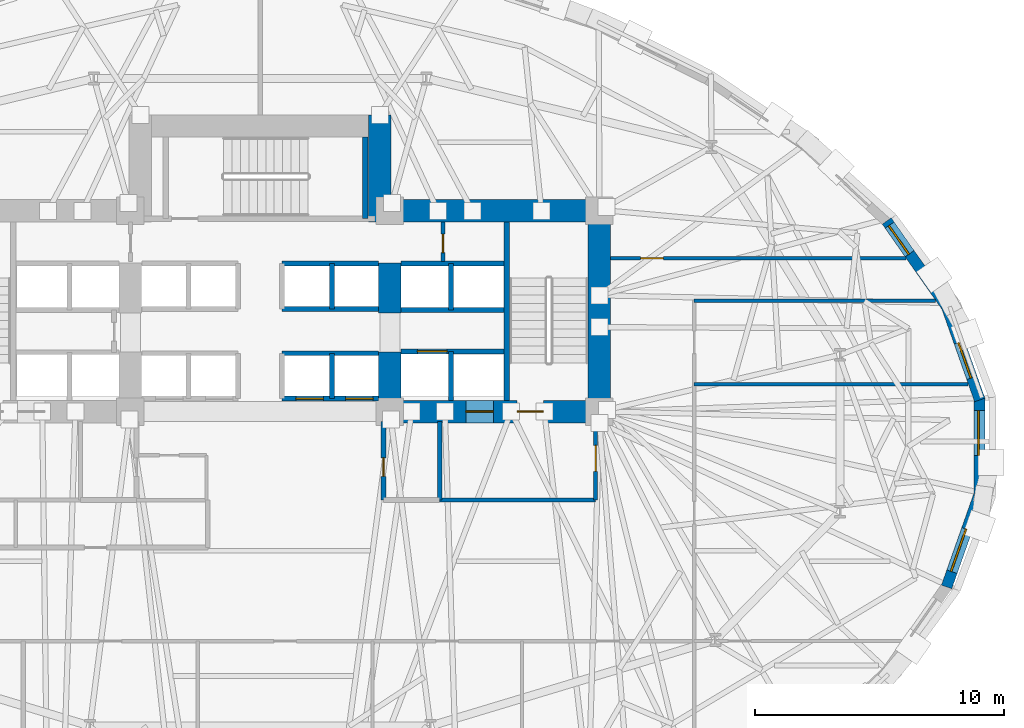
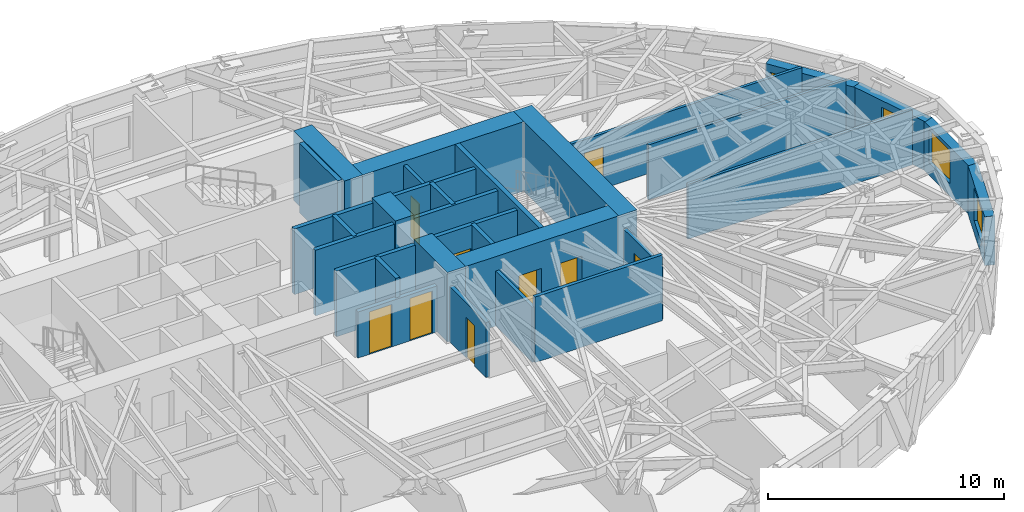
# One storey, part 9 of 14: 31 walls, 9 doors, 4 windows, 13 openings.
"""IFC4 building model written with IfcOpenShell, lengths in metres."""

from ifc_helpers import new_model, si_unit, direction, frame, frame_2d, origin, place, context, subcontext, project, spatial, rectangle, extrude, material, layer, layer_set, type_object, element, fill, save


model = new_model("IFC4")

# Units and contexts
model_context = context("Model", 3, precision=1e-05, world=origin(), true_north=direction((0.0, 1.0)))
body_context = subcontext(model_context, "Body", "Model", "MODEL_VIEW")
ifc_project = project(units=[si_unit("LENGTHUNIT", "METRE"), si_unit("AREAUNIT", "SQUARE_METRE"), si_unit("VOLUMEUNIT", "CUBIC_METRE"), si_unit("PLANEANGLEUNIT", "RADIAN"), si_unit("MASSUNIT", "GRAM", prefix="KILO")], contexts=[model_context])

# Site, building, storey
site_placement = place(None, origin())
site = spatial("IfcSite", under=ifc_project, at=site_placement, CompositionType="ELEMENT")
building_placement = place(site_placement, origin())
building = spatial("IfcBuilding", under=site, at=building_placement, Name="Keldmark Tower", CompositionType="ELEMENT")
storey_placement = place(building_placement, frame((0.0, 0.0, 59.39990234375)))
storey = spatial("IfcBuildingStorey", under=building, at=storey_placement, Name="L15", CompositionType="ELEMENT", Elevation=59.39990234375)

# Wall, opening, door
ifc_material_1 = material(Name="Acoustic Double-Layer Gypsum Corridor Partition", Category="gypsum")
ifc_layer_1 = layer(ifc_material_1, 0.139892578125)
ifc_layer_set_1 = layer_set([ifc_layer_1], Name="Acoustic Double-Layer Gypsum Corridor Partition")
wall_type_1 = type_object("IfcWallType", Name="Acoustic Corridor Partition 140 mm", PredefinedType="PARTITIONING", material=ifc_layer_set_1)
wall_1_placement = place(storey_placement, frame((14.050048828125, 7.550048828125, 0.0), z_axis=(0.0, 0.0, 1.0), x_axis=(1.0, 0.0, 0.0)))
wall_1 = element("IfcWall", 1, at=wall_1_placement, inside=storey, type_object=wall_type_1, Name="L15 Acoustic Corridor Partition 140 mm COR-EN-CAP", PredefinedType="PARTITIONING", context=body_context, shape_type="SweptSolid", body=[
    extrude(rectangle(XDim=11.83935546875, YDim=0.139892578125, at=frame_2d((5.919677734375, 0.0))), origin(), (0.0, 0.0, 1.0), 2.85302734375),
])
opening_1_placement = place(wall_1_placement, frame((1.199951171875, 0.0, 0.0)))
opening_1 = element("IfcOpeningElement", 2, at=opening_1_placement, cuts=wall_1, Name="Opening D-EX092", PredefinedType="OPENING", context=body_context, shape_type="SweptSolid", body=[
    extrude(rectangle(XDim=0.919921875, YDim=2.14990234375, at=frame_2d((0.4599609375, 1.074951171875))), frame((0.0, 0.079833984375, 0.0), z_axis=(0.0, -1.0, 0.0), x_axis=(1.0, 0.0, 0.0)), (0.0, 0.0, 1.0), 0.159912109375),
])
ifc_material_2 = material(Name="Flush American Ash Executive Office Door", Category="wood")
door_type_1 = type_object("IfcDoorType", Name="Executive Office Door 920x2150", OperationType="NOTDEFINED", PredefinedType="DOOR", material=ifc_material_2)
door_1_placement = place(opening_1_placement, origin())
door_1 = element("IfcDoor", 3, at=door_1_placement, inside=storey, type_object=door_type_1, Name="L15 Executive Office Door 920x2150 D-NRNE-L15", OperationType="SINGLE_SWING_RIGHT", OverallHeight=2.14990234375, OverallWidth=0.919921875, PredefinedType="DOOR", context=body_context, shape_type="SweptSolid", body=[
    extrude(rectangle(XDim=0.919921875, YDim=2.14990234375, at=frame_2d((0.4599609375, 1.074951171875))), frame((0.0, 0.02490234375, 0.0), z_axis=(0.0, -1.0, 0.0), x_axis=(1.0, 0.0, 0.0)), (0.0, 0.0, 1.0), 0.050048828125),
])
fill(opening_1, door_1)

# Walls
wall_2_placement = place(storey_placement, frame((17.39990234375, 5.85009765625, 0.0), z_axis=(0.0, 0.0, 1.0), x_axis=(1.0, 0.0, 0.0)))
element("IfcWall", 4, at=wall_2_placement, inside=storey, type_object=wall_type_1, Name="L15 Acoustic Corridor Partition 140 mm COR-EA-S", PredefinedType="PARTITIONING", context=body_context, shape_type="SweptSolid", body=[
    extrude(rectangle(XDim=9.67822265625, YDim=0.139892578125, at=frame_2d((4.839111328125, 0.0))), origin(), (0.0, 0.0, 1.0), 2.85302734375),
])
ifc_material_3 = material(Name="Acoustic Gypsum Board Interior Partition", Category="gypsum")
ifc_layer_2 = layer(ifc_material_3, 0.1298828125)
ifc_layer_set_2 = layer_set([ifc_layer_2], Name="Acoustic Gypsum Board Interior Partition")
wall_type_2 = type_object("IfcWallType", Name="Interior Partition 130 mm", PredefinedType="PARTITIONING", material=ifc_layer_set_2)
wall_3_placement = place(storey_placement, frame((17.39990234375, 2.5, 0.0), z_axis=(0.0, 0.0, 1.0), x_axis=(1.0, 0.0, 0.0)))
element("IfcWall", 5, at=wall_3_placement, inside=storey, type_object=wall_type_2, Name="L15 Interior Partition 130 mm E-DIV-1", PredefinedType="PARTITIONING", context=body_context, shape_type="SweptSolid", body=[
    extrude(rectangle(XDim=10.985107421875, YDim=0.1298828125, at=frame_2d((5.49267578125, 0.0))), origin(), (0.0, 0.0, 1.0), 2.841064453125),
])
ifc_material_4 = material(Name="Concrete C70/85", Category="concrete")
ifc_layer_3 = layer(ifc_material_4, 0.89990234375)
ifc_layer_set_3 = layer_set([ifc_layer_3], Name="Concrete C70/85")
wall_type_3 = type_object("IfcWallType", Name="Lower Core Shear Wall 900 mm", PredefinedType="SHEAR", material=ifc_layer_set_3)
wall_4_placement = place(storey_placement, frame((13.60009765625, 0.949951171875, 0.0), z_axis=(0.0, 0.0, 1.0), x_axis=(0.0, 1.0, 0.0)))
element("IfcWall", 6, at=wall_4_placement, inside=storey, type_object=wall_type_3, Name="L15 East Core Outer Shear Wall", PredefinedType="SHEAR", context=body_context, shape_type="SweptSolid", body=[
    extrude(rectangle(XDim=8.949951171875, YDim=0.89990234375, at=frame_2d((4.47509765625, 0.0))), origin(), (0.0, 0.0, 1.0), 3.60009765625),
])
wall_5_placement = place(storey_placement, frame((4.35009765625, 9.449951171875, 0.0), z_axis=(0.0, 0.0, 1.0), x_axis=(1.0, 0.0, 0.0)))
element("IfcWall", 7, at=wall_5_placement, inside=storey, type_object=wall_type_3, Name="L15 East Core North Shear Wall", PredefinedType="SHEAR", context=body_context, shape_type="SweptSolid", body=[
    extrude(rectangle(XDim=9.699951171875, YDim=0.89990234375, at=frame_2d((4.85009765625, 0.0))), origin(), (0.0, 0.0, 1.0), 3.60009765625),
])

# Wall, openings, doors
wall_6_placement = place(storey_placement, frame((14.050048828125, 1.39990234375, 0.0), z_axis=(0.0, 0.0, 1.0), x_axis=(-1.0, 0.0, 0.0)))
wall_6 = element("IfcWall", 8, at=wall_6_placement, inside=storey, type_object=wall_type_3, Name="L15 East Core South Shear Wall", PredefinedType="SHEAR", context=body_context, shape_type="SweptSolid", body=[
    extrude(rectangle(XDim=9.300048828125, YDim=0.89990234375, at=frame_2d((4.64990234375, 0.0))), origin(), (0.0, 0.0, 1.0), 3.60009765625),
])
opening_2_placement = place(wall_6_placement, frame((2.699951171875, 0.0, 0.0)))
opening_2 = element("IfcOpeningElement", 9, at=opening_2_placement, cuts=wall_6, Name="Opening D-ST105", PredefinedType="OPENING", context=body_context, shape_type="SweptSolid", body=[
    extrude(rectangle(XDim=1.050048828125, YDim=2.14990234375, at=frame_2d((0.52490234375, 1.074951171875))), frame((0.0, 0.4599609375, 0.0), z_axis=(0.0, -1.0, 0.0), x_axis=(1.0, 0.0, 0.0)), (0.0, 0.0, 1.0), 0.919921875),
])
opening_3_placement = place(wall_6_placement, frame((4.699951171875, 0.0, 0.0)))
opening_3 = element("IfcOpeningElement", 10, at=opening_3_placement, cuts=wall_6, Name="Opening LD-110", PredefinedType="OPENING", context=body_context, shape_type="SweptSolid", body=[
    extrude(rectangle(XDim=1.10009765625, YDim=2.199951171875, at=frame_2d((0.550048828125, 1.10009765625))), frame((0.0, 0.4599609375, 0.0), z_axis=(0.0, -1.0, 0.0), x_axis=(1.0, 0.0, 0.0)), (0.0, 0.0, 1.0), 0.919921875),
])
ifc_material_5 = material(Name="Brushed Bronze Hoistway Sliding Leaf", Category="metal")
door_type_2 = type_object("IfcDoorType", Name="Lift Landing Sliding Door 1100x2200", OperationType="SLIDING_TO_LEFT", PredefinedType="DOOR", material=ifc_material_5)
door_2_placement = place(opening_3_placement, origin())
door_2 = element("IfcDoor", 11, at=door_2_placement, inside=storey, type_object=door_type_2, Name="L15 Lift Landing Sliding Door 1100x2200 LD-EL-FS2-L15", OperationType="SLIDING_TO_LEFT", OverallHeight=2.199951171875, OverallWidth=1.10009765625, PredefinedType="DOOR", context=body_context, shape_type="SweptSolid", body=[
    extrude(rectangle(XDim=1.10009765625, YDim=2.199951171875, at=frame_2d((0.550048828125, 1.10009765625))), frame((0.0, 0.02490234375, 0.0), z_axis=(0.0, -1.0, 0.0), x_axis=(1.0, 0.0, 0.0)), (0.0, 0.0, 1.0), 0.050048828125),
])
fill(opening_3, door_2)
ifc_material_6 = material(Name="Hollow Metal Fire-Rated Door Assembly", Category="metal")
door_type_3 = type_object("IfcDoorType", Name="Stair Fire Door 1050x2150", OperationType="NOTDEFINED", PredefinedType="DOOR", material=ifc_material_6)
door_3_placement = place(opening_2_placement, origin())
door_3 = element("IfcDoor", 12, at=door_3_placement, inside=storey, type_object=door_type_3, Name="L15 Stair Fire Door 1050x2150 D-ST2-L15", OperationType="SINGLE_SWING_LEFT", OverallHeight=2.14990234375, OverallWidth=1.050048828125, PredefinedType="DOOR", context=body_context, shape_type="SweptSolid", body=[
    extrude(rectangle(XDim=1.050048828125, YDim=2.14990234375, at=frame_2d((0.52490234375, 1.074951171875))), frame((0.0, 0.02490234375, 0.0), z_axis=(0.0, -1.0, 0.0), x_axis=(1.0, 0.0, 0.0)), (0.0, 0.0, 1.0), 0.050048828125),
])
fill(opening_2, door_3)

# Walls
wall_7_placement = place(storey_placement, frame((5.199951171875, 0.949951171875, 0.0), z_axis=(0.0, 0.0, 1.0), x_axis=(0.0, 1.0, 0.0)))
element("IfcWall", 13, at=wall_7_placement, inside=storey, type_object=wall_type_3, Name="L15 East Core Inner Shear Pier South", PredefinedType="SHEAR", context=body_context, shape_type="SweptSolid", body=[
    extrude(rectangle(XDim=2.85009765625, YDim=0.89990234375, at=frame_2d((1.425048828125, 0.0))), origin(), (0.0, 0.0, 1.0), 3.60009765625),
])
wall_8_placement = place(storey_placement, frame((5.199951171875, 5.35009765625, 0.0), z_axis=(0.0, 0.0, 1.0), x_axis=(0.0, 1.0, 0.0)))
element("IfcWall", 14, at=wall_8_placement, inside=storey, type_object=wall_type_3, Name="L15 East Core Inner Shear Pier North", PredefinedType="SHEAR", context=body_context, shape_type="SweptSolid", body=[
    extrude(rectangle(XDim=2.0, YDim=0.89990234375, at=frame_2d((1.0, 0.0))), origin(), (0.0, 0.0, 1.0), 3.60009765625),
])
wall_9_placement = place(storey_placement, frame((4.800048828125, 9.0, 0.0), z_axis=(0.0, 0.0, 1.0), x_axis=(0.0, 1.0, 0.0)))
element("IfcWall", 15, at=wall_9_placement, inside=storey, type_object=wall_type_3, Name="L15 North Core East Shear Wall", PredefinedType="SHEAR", context=body_context, shape_type="SweptSolid", body=[
    extrude(rectangle(XDim=4.300048828125, YDim=0.89990234375, at=frame_2d((2.14990234375, 0.0))), origin(), (0.0, 0.0, 1.0), 3.60009765625),
])
ifc_material_7 = material(Name="Type X Fire-Rated Gypsum Partition Assembly", Category="gypsum")
ifc_layer_4 = layer(ifc_material_7, 0.1650390625)
ifc_layer_set_4 = layer_set([ifc_layer_4], Name="Type X Fire-Rated Gypsum Partition Assembly")
wall_type_4 = type_object("IfcWallType", Name="Rated Partition 165 mm", PredefinedType="PARTITIONING", material=ifc_layer_set_4)
wall_10_placement = place(storey_placement, frame((7.199951171875, -2.14990234375, 0.0), z_axis=(0.0, 0.0, 1.0), x_axis=(1.0, 0.0, 0.0)))
element("IfcWall", 16, at=wall_10_placement, inside=storey, type_object=wall_type_4, Name="L15 Rated Partition 165 mm FSAE-E-S", PredefinedType="PARTITIONING", context=body_context, shape_type="SweptSolid", body=[
    extrude(rectangle(XDim=6.25, YDim=0.1650390625, at=frame_2d((3.125, 0.0))), origin(), (0.0, 0.0, 1.0), 3.400146484375),
])
wall_11_placement = place(storey_placement, frame((7.199951171875, -2.14990234375, 0.0), z_axis=(0.0, 0.0, 1.0), x_axis=(0.0, 1.0, 0.0)))
element("IfcWall", 17, at=wall_11_placement, inside=storey, type_object=wall_type_4, Name="L15 Rated Partition 165 mm FSAE-E-W", PredefinedType="PARTITIONING", context=body_context, shape_type="SweptSolid", body=[
    extrude(rectangle(XDim=3.14990234375, YDim=0.1650390625, at=frame_2d((1.574951171875, 0.0))), origin(), (0.0, 0.0, 1.0), 2.85302734375),
])

# Wall, opening, door
wall_12_placement = place(storey_placement, frame((13.449951171875, -2.14990234375, 0.0), z_axis=(0.0, 0.0, 1.0), x_axis=(0.0, 1.0, 0.0)))
wall_12 = element("IfcWall", 18, at=wall_12_placement, inside=storey, type_object=wall_type_4, Name="L15 Rated Partition 165 mm FSAE-E-E", PredefinedType="PARTITIONING", context=body_context, shape_type="SweptSolid", body=[
    extrude(rectangle(XDim=3.14990234375, YDim=0.1650390625, at=frame_2d((1.574951171875, 0.0))), origin(), (0.0, 0.0, 1.0), 2.85302734375),
])
opening_4_placement = place(wall_12_placement, frame((1.14990234375, 0.0, 0.0)))
opening_4 = element("IfcOpeningElement", 19, at=opening_4_placement, cuts=wall_12, Name="Opening D-FL105", PredefinedType="OPENING", context=body_context, shape_type="SweptSolid", body=[
    extrude(rectangle(XDim=1.050048828125, YDim=2.14990234375, at=frame_2d((0.52490234375, 1.074951171875))), frame((0.0, 0.092529296875, 0.0), z_axis=(0.0, -1.0, 0.0), x_axis=(1.0, 0.0, 0.0)), (0.0, 0.0, 1.0), 0.18505859375),
])
ifc_material_8 = material(Name="Fire-Rated Mineral-Core Door and Vision Lite", Category="metal")
door_type_4 = type_object("IfcDoorType", Name="Fire Lobby Door 1050x2150", OperationType="NOTDEFINED", PredefinedType="DOOR", material=ifc_material_8)
door_4_placement = place(opening_4_placement, origin())
door_4 = element("IfcDoor", 20, at=door_4_placement, inside=storey, type_object=door_type_4, Name="L15 Fire Lobby Door 1050x2150 D-FSAEE-OUT-L15", OperationType="SINGLE_SWING_LEFT", OverallHeight=2.14990234375, OverallWidth=1.050048828125, PredefinedType="DOOR", context=body_context, shape_type="SweptSolid", body=[
    extrude(rectangle(XDim=1.050048828125, YDim=2.14990234375, at=frame_2d((0.52490234375, 1.074951171875))), frame((0.0, 0.02490234375, 0.0), z_axis=(0.0, -1.0, 0.0), x_axis=(1.0, 0.0, 0.0)), (0.0, 0.0, 1.0), 0.050048828125),
])
fill(opening_4, door_4)

wall_13_placement = place(storey_placement, frame((7.330078125, 7.419921875, 0.0), z_axis=(0.0, 0.0, 1.0), x_axis=(0.0, 1.0, 0.0)))
wall_13 = element("IfcWall", 21, at=wall_13_placement, inside=storey, type_object=wall_type_4, Name="L15 Rated Partition 165 mm CS-NE-W", PredefinedType="PARTITIONING", context=body_context, shape_type="SweptSolid", body=[
    extrude(rectangle(XDim=1.580078125, YDim=0.1650390625, at=frame_2d((0.7900390625, 0.0))), origin(), (0.0, 0.0, 1.0), 3.400146484375),
])
opening_5_placement = place(wall_13_placement, frame((0.35009765625, 0.0, 0.0)))
opening_5 = element("IfcOpeningElement", 22, at=opening_5_placement, cuts=wall_13, Name="Opening D-RS075", PredefinedType="OPENING", context=body_context, shape_type="SweptSolid", body=[
    extrude(rectangle(XDim=0.75, YDim=2.10009765625, at=frame_2d((0.375, 1.050048828125))), frame((0.0, 0.092529296875, 0.0), z_axis=(0.0, -1.0, 0.0), x_axis=(1.0, 0.0, 0.0)), (0.0, 0.0, 1.0), 0.18505859375),
])
ifc_material_9 = material(Name="Galvanized Fire-Rated Access Leaf", Category="metal")
door_type_5 = type_object("IfcDoorType", Name="Riser Access Door 750x2100", OperationType="NOTDEFINED", PredefinedType="DOOR", material=ifc_material_9)
door_5_placement = place(opening_5_placement, origin())
door_5 = element("IfcDoor", 23, at=door_5_placement, inside=storey, type_object=door_type_5, Name="L15 Riser Access Door 750x2100 D-CSNE1-L15", OperationType="SINGLE_SWING_LEFT", OverallHeight=2.10009765625, OverallWidth=0.75, PredefinedType="DOOR", context=body_context, shape_type="SweptSolid", body=[
    extrude(rectangle(XDim=0.75, YDim=2.10009765625, at=frame_2d((0.375, 1.050048828125))), frame((0.0, 0.02490234375, 0.0), z_axis=(0.0, -1.0, 0.0), x_axis=(1.0, 0.0, 0.0)), (0.0, 0.0, 1.0), 0.050048828125),
])
fill(opening_5, door_5)

ifc_material_10 = material(Name="Fire-Resistant Type X Gypsum Shaftliner Coreboard", Category="gypsum")
ifc_layer_5 = layer(ifc_material_10, 0.199951171875)
ifc_layer_set_5 = layer_set([ifc_layer_5], Name="Fire-Resistant Type X Gypsum Shaftliner Coreboard")
wall_type_5 = type_object("IfcWallType", Name="Shaft Wall 200 mm", PredefinedType="SOLIDWALL", material=ifc_layer_set_5)
wall_14_placement = place(storey_placement, frame((4.949951171875, -2.14990234375, 0.0), z_axis=(0.0, 0.0, 1.0), x_axis=(0.0, 1.0, 0.0)))
wall_14 = element("IfcWall", 24, at=wall_14_placement, inside=storey, type_object=wall_type_5, Name="L15 Shaft Wall 200 mm RIS-SE-W", PredefinedType="SOLIDWALL", context=body_context, shape_type="SweptSolid", body=[
    extrude(rectangle(XDim=3.14990234375, YDim=0.199951171875, at=frame_2d((1.574951171875, 0.0))), origin(), (0.0, 0.0, 1.0), 2.85302734375),
])
opening_6_placement = place(wall_14_placement, frame((0.949951171875, 0.0, 0.0)))
opening_6 = element("IfcOpeningElement", 25, at=opening_6_placement, cuts=wall_14, Name="Opening D-RS075", PredefinedType="OPENING", context=body_context, shape_type="SweptSolid", body=[
    extrude(rectangle(XDim=0.75, YDim=2.10009765625, at=frame_2d((0.375, 1.050048828125))), frame((0.0, 0.10986328125, 0.0), z_axis=(0.0, -1.0, 0.0), x_axis=(1.0, 0.0, 0.0)), (0.0, 0.0, 1.0), 0.219970703125),
])
door_6_placement = place(opening_6_placement, origin())
door_6 = element("IfcDoor", 26, at=door_6_placement, inside=storey, type_object=door_type_5, Name="L15 Riser Access Door 750x2100 D-RISSE-L15", OperationType="SINGLE_SWING_LEFT", OverallHeight=2.10009765625, OverallWidth=0.75, PredefinedType="DOOR", context=body_context, shape_type="SweptSolid", body=[
    extrude(rectangle(XDim=0.75, YDim=2.10009765625, at=frame_2d((0.375, 1.050048828125))), frame((0.0, 0.02490234375, 0.0), z_axis=(0.0, -1.0, 0.0), x_axis=(1.0, 0.0, 0.0)), (0.0, 0.0, 1.0), 0.050048828125),
])
fill(opening_6, door_6)

wall_15_placement = place(storey_placement, frame((5.64990234375, 3.820068359375, 0.0), z_axis=(0.0, 0.0, 1.0), x_axis=(1.0, 0.0, 0.0)))
wall_15 = element("IfcWall", 27, at=wall_15_placement, inside=storey, type_object=wall_type_5, Name="L15 Shaft Wall 200 mm HW-E-S", PredefinedType="SOLIDWALL", context=body_context, shape_type="SweptSolid", body=[
    extrude(rectangle(XDim=4.130126953125, YDim=0.199951171875, at=frame_2d((2.06494140625, 0.0))), origin(), (0.0, 0.0, 1.0), 3.400146484375),
])
opening_7_placement = place(wall_15_placement, frame((0.64990234375, 0.0, 0.0)))
opening_7 = element("IfcOpeningElement", 28, at=opening_7_placement, cuts=wall_15, Name="Opening LD-120", PredefinedType="OPENING", context=body_context, shape_type="SweptSolid", body=[
    extrude(rectangle(XDim=1.199951171875, YDim=2.199951171875, at=frame_2d((0.60009765625, 1.10009765625))), frame((0.0, 0.10986328125, 0.0), z_axis=(0.0, -1.0, 0.0), x_axis=(1.0, 0.0, 0.0)), (0.0, 0.0, 1.0), 0.219970703125),
])
ifc_material_11 = material(Name="Heavy-Duty Brushed Metal Hoistway Sliding Leaf", Category="metal")
door_type_6 = type_object("IfcDoorType", Name="Service Lift Sliding Door 1200x2200", OperationType="SLIDING_TO_RIGHT", PredefinedType="DOOR", material=ifc_material_11)
door_7_placement = place(opening_7_placement, origin())
door_7 = element("IfcDoor", 29, at=door_7_placement, inside=storey, type_object=door_type_6, Name="L15 Service Lift Sliding Door 1200x2200 LD-EL-SV1-L15", OperationType="SLIDING_TO_RIGHT", OverallHeight=2.199951171875, OverallWidth=1.199951171875, PredefinedType="DOOR", context=body_context, shape_type="SweptSolid", body=[
    extrude(rectangle(XDim=1.199951171875, YDim=2.199951171875, at=frame_2d((0.60009765625, 1.10009765625))), frame((0.0, 0.02490234375, 0.0), z_axis=(0.0, -1.0, 0.0), x_axis=(1.0, 0.0, 0.0)), (0.0, 0.0, 1.0), 0.050048828125),
])
fill(opening_7, door_7)

# Walls
wall_16_placement = place(storey_placement, frame((7.64990234375, 1.85009765625, 0.0), z_axis=(0.0, 0.0, 1.0), x_axis=(0.0, 1.0, 0.0)))
element("IfcWall", 30, at=wall_16_placement, inside=storey, type_object=wall_type_5, Name="L15 Shaft Wall 200 mm HW-E-M", PredefinedType="SOLIDWALL", context=body_context, shape_type="SweptSolid", body=[
    extrude(rectangle(XDim=1.969970703125, YDim=0.199951171875, at=frame_2d((0.98486328125, 0.0))), origin(), (0.0, 0.0, 1.0), 3.400146484375),
])
for number, where, z_axis, x_axis, name in (
    (31, (5.64990234375, 5.469970703125, 0.0), (0.0, 0.0, 1.0), (1.0, 0.0, 0.0), "L15 Shaft Wall 200 mm HW-E-N"),
    (32, (5.64990234375, 7.330078125, 0.0), (0.0, 0.0, 1.0), (1.0, 0.0, 0.0), "L15 Shaft Wall 200 mm HW-E-TOP"),
):
    element("IfcWall", number, at=place(storey_placement, frame(where, z_axis=z_axis, x_axis=x_axis)), inside=storey, type_object=wall_type_5, Name=name, PredefinedType="SOLIDWALL", context=body_context, shape_type="SweptSolid", body=[
        extrude(rectangle(XDim=4.130126953125, YDim=0.199951171875, at=frame_2d((2.06494140625, 0.0))), origin(), (0.0, 0.0, 1.0), 3.400146484375),
    ])
wall_17_placement = place(storey_placement, frame((7.64990234375, 5.469970703125, 0.0), z_axis=(0.0, 0.0, 1.0), x_axis=(0.0, 1.0, 0.0)))
element("IfcWall", 33, at=wall_17_placement, inside=storey, type_object=wall_type_5, Name="L15 Shaft Wall 200 mm HW-E-NM", PredefinedType="SOLIDWALL", context=body_context, shape_type="SweptSolid", body=[
    extrude(rectangle(XDim=1.860107421875, YDim=0.199951171875, at=frame_2d((0.93017578125, 0.0))), origin(), (0.0, 0.0, 1.0), 3.400146484375),
])

# Wall, openings, doors
wall_18_placement = place(storey_placement, frame((0.8798828125, 1.919921875, 0.0), z_axis=(0.0, 0.0, 1.0), x_axis=(1.0, 0.0, 0.0)))
wall_18 = element("IfcWall", 34, at=wall_18_placement, inside=storey, type_object=wall_type_5, Name="L15 Shaft Wall 200 mm LOW-S-E", PredefinedType="SOLIDWALL", context=body_context, shape_type="SweptSolid", body=[
    extrude(rectangle(XDim=3.860107421875, YDim=0.199951171875, at=frame_2d((1.93017578125, 0.0))), origin(), (0.0, 0.0, 1.0), 2.39013671875),
])
opening_8_placement = place(wall_18_placement, frame((0.550048828125, 0.0, 0.0)))
opening_8 = element("IfcOpeningElement", 35, at=opening_8_placement, cuts=wall_18, Name="Opening LD-110", PredefinedType="OPENING", context=body_context, shape_type="SweptSolid", body=[
    extrude(rectangle(XDim=1.10009765625, YDim=2.199951171875, at=frame_2d((0.550048828125, 1.10009765625))), frame((0.0, 0.10986328125, 0.0), z_axis=(0.0, -1.0, 0.0), x_axis=(1.0, 0.0, 0.0)), (0.0, 0.0, 1.0), 0.219970703125),
])
opening_9_placement = place(wall_18_placement, frame((2.550048828125, 0.0, 0.0)))
opening_9 = element("IfcOpeningElement", 36, at=opening_9_placement, cuts=wall_18, Name="Opening LD-110", PredefinedType="OPENING", context=body_context, shape_type="SweptSolid", body=[
    extrude(rectangle(XDim=1.10009765625, YDim=2.199951171875, at=frame_2d((0.550048828125, 1.10009765625))), frame((0.0, 0.10986328125, 0.0), z_axis=(0.0, -1.0, 0.0), x_axis=(1.0, 0.0, 0.0)), (0.0, 0.0, 1.0), 0.219970703125),
])
door_8_placement = place(opening_8_placement, origin())
door_8 = element("IfcDoor", 37, at=door_8_placement, inside=storey, type_object=door_type_2, Name="L15 Lift Landing Sliding Door 1100x2200 LD-EL-L3-L15", OperationType="SLIDING_TO_LEFT", OverallHeight=2.199951171875, OverallWidth=1.10009765625, PredefinedType="DOOR", context=body_context, shape_type="SweptSolid", body=[
    extrude(rectangle(XDim=1.10009765625, YDim=2.199951171875, at=frame_2d((0.550048828125, 1.10009765625))), frame((0.0, 0.02490234375, 0.0), z_axis=(0.0, -1.0, 0.0), x_axis=(1.0, 0.0, 0.0)), (0.0, 0.0, 1.0), 0.050048828125),
])
fill(opening_8, door_8)
door_9_placement = place(opening_9_placement, origin())
door_9 = element("IfcDoor", 38, at=door_9_placement, inside=storey, type_object=door_type_2, Name="L15 Lift Landing Sliding Door 1100x2200 LD-EL-L4-L15", OperationType="SLIDING_TO_LEFT", OverallHeight=2.199951171875, OverallWidth=1.10009765625, PredefinedType="DOOR", context=body_context, shape_type="SweptSolid", body=[
    extrude(rectangle(XDim=1.10009765625, YDim=2.199951171875, at=frame_2d((0.550048828125, 1.10009765625))), frame((0.0, 0.02490234375, 0.0), z_axis=(0.0, -1.0, 0.0), x_axis=(1.0, 0.0, 0.0)), (0.0, 0.0, 1.0), 0.050048828125),
])
fill(opening_9, door_9)

# Walls
wall_19_placement = place(storey_placement, frame((0.8798828125, 3.739990234375, 0.0), z_axis=(0.0, 0.0, 1.0), x_axis=(1.0, 0.0, 0.0)))
element("IfcWall", 39, at=wall_19_placement, inside=storey, type_object=wall_type_5, Name="L15 Shaft Wall 200 mm LOW-N-E", PredefinedType="SOLIDWALL", context=body_context, shape_type="SweptSolid", body=[
    extrude(rectangle(XDim=3.860107421875, YDim=0.199951171875, at=frame_2d((1.93017578125, 0.0))), origin(), (0.0, 0.0, 1.0), 3.400146484375),
])
wall_20_placement = place(storey_placement, frame((2.8798828125, 1.919921875, 0.0), z_axis=(0.0, 0.0, 1.0), x_axis=(0.0, 1.0, 0.0)))
element("IfcWall", 40, at=wall_20_placement, inside=storey, type_object=wall_type_5, Name="L15 Shaft Wall 200 mm LOW-M-E", PredefinedType="SOLIDWALL", context=body_context, shape_type="SweptSolid", body=[
    extrude(rectangle(XDim=1.820068359375, YDim=0.199951171875, at=frame_2d((0.91015625, 0.0))), origin(), (0.0, 0.0, 1.0), 3.400146484375),
])
for number, where, z_axis, x_axis, name in (
    (41, (0.8798828125, 5.52001953125, 0.0), (0.0, 0.0, 1.0), (1.0, 0.0, 0.0), "L15 Shaft Wall 200 mm MID-S-E"),
    (42, (0.8798828125, 7.330078125, 0.0), (0.0, 0.0, 1.0), (1.0, 0.0, 0.0), "L15 Shaft Wall 200 mm MID-N-E"),
):
    element("IfcWall", number, at=place(storey_placement, frame(where, z_axis=z_axis, x_axis=x_axis)), inside=storey, type_object=wall_type_5, Name=name, PredefinedType="SOLIDWALL", context=body_context, shape_type="SweptSolid", body=[
        extrude(rectangle(XDim=3.860107421875, YDim=0.199951171875, at=frame_2d((1.93017578125, 0.0))), origin(), (0.0, 0.0, 1.0), 3.400146484375),
    ])
wall_21_placement = place(storey_placement, frame((2.8798828125, 5.52001953125, 0.0), z_axis=(0.0, 0.0, 1.0), x_axis=(0.0, 1.0, 0.0)))
element("IfcWall", 43, at=wall_21_placement, inside=storey, type_object=wall_type_5, Name="L15 Shaft Wall 200 mm MID-M-E", PredefinedType="SOLIDWALL", context=body_context, shape_type="SweptSolid", body=[
    extrude(rectangle(XDim=1.81005859375, YDim=0.199951171875, at=frame_2d((0.905029296875, 0.0))), origin(), (0.0, 0.0, 1.0), 3.400146484375),
])
ifc_material_12 = material(Name="Concrete C50/60", Category="concrete")
ifc_layer_6 = layer(ifc_material_12, 0.219970703125)
ifc_layer_set_6 = layer_set([ifc_layer_6], Name="Concrete C50/60")
wall_type_6 = type_object("IfcWallType", Name="Stair Core Shear Wall 220 mm", PredefinedType="SHEAR", material=ifc_layer_set_6)
wall_22_placement = place(storey_placement, frame((9.889892578125, 1.85009765625, 0.0), z_axis=(0.0, 0.0, 1.0), x_axis=(0.0, 1.0, 0.0)))
element("IfcWall", 44, at=wall_22_placement, inside=storey, type_object=wall_type_6, Name="L15 East Stair Core Shear Wall", PredefinedType="SHEAR", context=body_context, shape_type="SweptSolid", body=[
    extrude(rectangle(XDim=7.14990234375, YDim=0.219970703125, at=frame_2d((3.574951171875, 0.0))), origin(), (0.0, 0.0, 1.0), 3.60009765625),
])
wall_23_placement = place(storey_placement, frame((4.215087890625, 9.139892578125, 0.0), z_axis=(0.0, 0.0, 1.0), x_axis=(0.0, 1.0, 0.0)))
element("IfcWall", 45, at=wall_23_placement, inside=storey, type_object=wall_type_6, Name="L15 Central Stair Core East Shear Wall", PredefinedType="SHEAR", context=body_context, shape_type="SweptSolid", body=[
    extrude(rectangle(XDim=3.260009765625, YDim=0.219970703125, at=frame_2d((1.6298828125, 0.0))), origin(), (0.0, 0.0, 1.0), 3.60009765625),
])

# Wall, opening, window
ifc_material_13 = material(Name="Ironspot Manganese Brick and Kasota Buff Limestone Spandrel Assembly", Category="masonry")
ifc_layer_7 = layer(ifc_material_13, 0.43994140625)
ifc_layer_set_7 = layer_set([ifc_layer_7], Name="Ironspot Manganese Brick and Kasota Buff Limestone Spandrel Assembly")
wall_type_7 = type_object("IfcWallType", Name="Tower Brick Pier and Spandrel Wall 440 mm", PredefinedType="STANDARD", material=ifc_layer_set_7)
wall_24_placement = place(storey_placement, frame((27.520751953125, 5.629150390625, 0.0), z_axis=(0.0, 0.0, 1.0), x_axis=(0.333264929682, -0.942833223133, 0.0)))
wall_24 = element("IfcWall", 46, at=wall_24_placement, inside=storey, type_object=wall_type_7, Name="L15 Exterior Brick and Spandrel Wall 01", PredefinedType="STANDARD", context=body_context, shape_type="SweptSolid", body=[
    extrude(rectangle(XDim=3.990234375, YDim=0.43994140625, at=frame_2d((1.9951171875, 0.0))), origin(), (0.0, 0.0, 1.0), 2.533203125),
])
opening_10_placement = place(wall_24_placement, frame((1.543701171875, 0.0, 0.47998046875)))
opening_10 = element("IfcOpeningElement", 47, at=opening_10_placement, cuts=wall_24, Name="Opening W-03", PredefinedType="OPENING", context=body_context, shape_type="SweptSolid", body=[
    extrude(rectangle(XDim=1.5, YDim=1.699951171875, at=frame_2d((0.75, 0.85009765625))), frame((0.0, 0.22998046875, 0.0), z_axis=(0.0, -1.0, 0.0), x_axis=(1.0, 0.0, 0.0)), (0.0, 0.0, 1.0), 0.4599609375),
])
ifc_material_14 = material(Name="Thermally Broken Anodized Aluminum and Triple Low-E Argon Glazing", Category="aluminium")
window_type_1 = type_object("IfcWindowType", Name="Office Corner Deep-Set Window 1500x1700", PartitioningType="DOUBLE_PANEL_VERTICAL", PredefinedType="WINDOW", material=ifc_material_14)
window_1_placement = place(opening_10_placement, origin())
window_1 = element("IfcWindow", 48, at=window_1_placement, inside=storey, type_object=window_type_1, Name="L15 Deep-Set Window 01", OverallHeight=1.699951171875, OverallWidth=1.5, PartitioningType="SINGLE_PANEL", PredefinedType="WINDOW", context=body_context, shape_type="SweptSolid", body=[
    extrude(rectangle(XDim=1.5, YDim=1.699951171875, at=frame_2d((0.75, 0.85009765625))), frame((0.0, -0.010009765625, 0.0), z_axis=(0.0, -1.0, 0.0), x_axis=(1.0, 0.0, 0.0)), (0.0, 0.0, 1.0), 0.06005859375),
])
fill(opening_10, window_1)

wall_25_placement = place(storey_placement, frame((25.123046875, 9.043212890625, 0.0), z_axis=(0.0, 0.0, 1.0), x_axis=(0.573152463572, -0.819448749771, 0.0)))
wall_25 = element("IfcWall", 49, at=wall_25_placement, inside=storey, type_object=wall_type_7, Name="L15 Exterior Brick and Spandrel Wall 02", PredefinedType="STANDARD", context=body_context, shape_type="SweptSolid", body=[
    extrude(rectangle(XDim=4.230712890625, YDim=0.43994140625, at=frame_2d((2.115234375, 0.0))), origin(), (0.0, 0.0, 1.0), 2.529052734375),
])
opening_11_placement = place(wall_25_placement, frame((0.199951171875, 0.0, 0.580078125)))
opening_11 = element("IfcOpeningElement", 50, at=opening_11_placement, cuts=wall_25, Name="Opening W-08", PredefinedType="OPENING", context=body_context, shape_type="SweptSolid", body=[
    extrude(rectangle(XDim=1.39990234375, YDim=1.550048828125, at=frame_2d((0.699951171875, 0.77490234375))), frame((0.0, 0.22998046875, 0.0), z_axis=(0.0, -1.0, 0.0), x_axis=(1.0, 0.0, 0.0)), (0.0, 0.0, 1.0), 0.4599609375),
])
ifc_material_15 = material(Name="Thermally Broken Anodized Aluminum and Triple Low-E Argon Glazing", Category="aluminium")
window_type_2 = type_object("IfcWindowType", Name="Residential Corner Punched Window 1400x1550", PartitioningType="SINGLE_PANEL", PredefinedType="WINDOW", material=ifc_material_15)
window_2_placement = place(opening_11_placement, origin())
window_2 = element("IfcWindow", 51, at=window_2_placement, inside=storey, type_object=window_type_2, Name="L15 Deep-Set Window 02", OverallHeight=1.550048828125, OverallWidth=1.39990234375, PartitioningType="SINGLE_PANEL", PredefinedType="WINDOW", context=body_context, shape_type="SweptSolid", body=[
    extrude(rectangle(XDim=1.39990234375, YDim=1.550048828125, at=frame_2d((0.699951171875, 0.77490234375))), frame((0.0, -0.010009765625, 0.0), z_axis=(0.0, -1.0, 0.0), x_axis=(1.0, 0.0, 0.0)), (0.0, 0.0, 1.0), 0.06005859375),
])
fill(opening_11, window_2)

wall_26_placement = place(storey_placement, frame((28.8505859375, -1.866943359375, 0.0), z_axis=(0.0, 0.0, 1.0), x_axis=(-0.333264929682, -0.942833223133, 0.0)))
wall_26 = element("IfcWall", 52, at=wall_26_placement, inside=storey, type_object=wall_type_7, Name="L15 Exterior Brick and Spandrel Wall 31", PredefinedType="STANDARD", context=body_context, shape_type="SweptSolid", body=[
    extrude(rectangle(XDim=3.990234375, YDim=0.43994140625, at=frame_2d((1.9951171875, 0.0))), origin(), (0.0, 0.0, 1.0), 2.533203125),
])
opening_12_placement = place(wall_26_placement, frame((1.542724609375, 0.0, 0.64990234375)))
opening_12 = element("IfcOpeningElement", 53, at=opening_12_placement, cuts=wall_26, Name="Opening W-02", PredefinedType="OPENING", context=body_context, shape_type="SweptSolid", body=[
    extrude(rectangle(XDim=1.800048828125, YDim=1.699951171875, at=frame_2d((0.89990234375, 0.85009765625))), frame((0.0, 0.22998046875, 0.0), z_axis=(0.0, -1.0, 0.0), x_axis=(1.0, 0.0, 0.0)), (0.0, 0.0, 1.0), 0.4599609375),
])
ifc_material_16 = material(Name="Thermally Broken Anodized Aluminum and Triple Low-E Argon Glazing", Category="aluminium")
window_type_3 = type_object("IfcWindowType", Name="Office Deep-Set Triple Window 1800x1700", PartitioningType="TRIPLE_PANEL_VERTICAL", PredefinedType="WINDOW", material=ifc_material_16)
window_3_placement = place(opening_12_placement, origin())
window_3 = element("IfcWindow", 54, at=window_3_placement, inside=storey, type_object=window_type_3, Name="L15 Deep-Set Window 31", OverallHeight=1.699951171875, OverallWidth=1.800048828125, PartitioningType="SINGLE_PANEL", PredefinedType="WINDOW", context=body_context, shape_type="SweptSolid", body=[
    extrude(rectangle(XDim=1.800048828125, YDim=1.699951171875, at=frame_2d((0.89990234375, 0.85009765625))), frame((0.0, -0.010009765625, 0.0), z_axis=(0.0, -1.0, 0.0), x_axis=(1.0, 0.0, 0.0)), (0.0, 0.0, 1.0), 0.06005859375),
])
fill(opening_12, window_3)

wall_27_placement = place(storey_placement, frame((28.837890625, 1.940185546875, 0.0), z_axis=(0.0, 0.0, 1.0), x_axis=(0.0, -1.0, 0.0)))
wall_27 = element("IfcWall", 55, at=wall_27_placement, inside=storey, type_object=wall_type_7, Name="L15 Exterior Brick and Spandrel Wall 32", PredefinedType="STANDARD", context=body_context, shape_type="SweptSolid", body=[
    extrude(rectangle(XDim=3.88037109375, YDim=0.43994140625, at=frame_2d((1.940185546875, 0.0))), origin(), (0.0, 0.0, 1.0), 2.533203125),
])
opening_13_placement = place(wall_27_placement, frame((0.49658203125, 0.0, 0.64990234375)))
opening_13 = element("IfcOpeningElement", 56, at=opening_13_placement, cuts=wall_27, Name="Opening W-02", PredefinedType="OPENING", context=body_context, shape_type="SweptSolid", body=[
    extrude(rectangle(XDim=1.800048828125, YDim=1.699951171875, at=frame_2d((0.89990234375, 0.85009765625))), frame((0.0, 0.22998046875, 0.0), z_axis=(0.0, -1.0, 0.0), x_axis=(1.0, 0.0, 0.0)), (0.0, 0.0, 1.0), 0.4599609375),
])
window_4_placement = place(opening_13_placement, origin())
window_4 = element("IfcWindow", 57, at=window_4_placement, inside=storey, type_object=window_type_3, Name="L15 Deep-Set Window 32", OverallHeight=1.699951171875, OverallWidth=1.800048828125, PartitioningType="SINGLE_PANEL", PredefinedType="WINDOW", context=body_context, shape_type="SweptSolid", body=[
    extrude(rectangle(XDim=1.800048828125, YDim=1.699951171875, at=frame_2d((0.89990234375, 0.85009765625))), frame((0.0, -0.010009765625, 0.0), z_axis=(0.0, -1.0, 0.0), x_axis=(1.0, 0.0, 0.0)), (0.0, 0.0, 1.0), 0.06005859375),
])
fill(opening_13, window_4)

save(model, "model.ifc")
